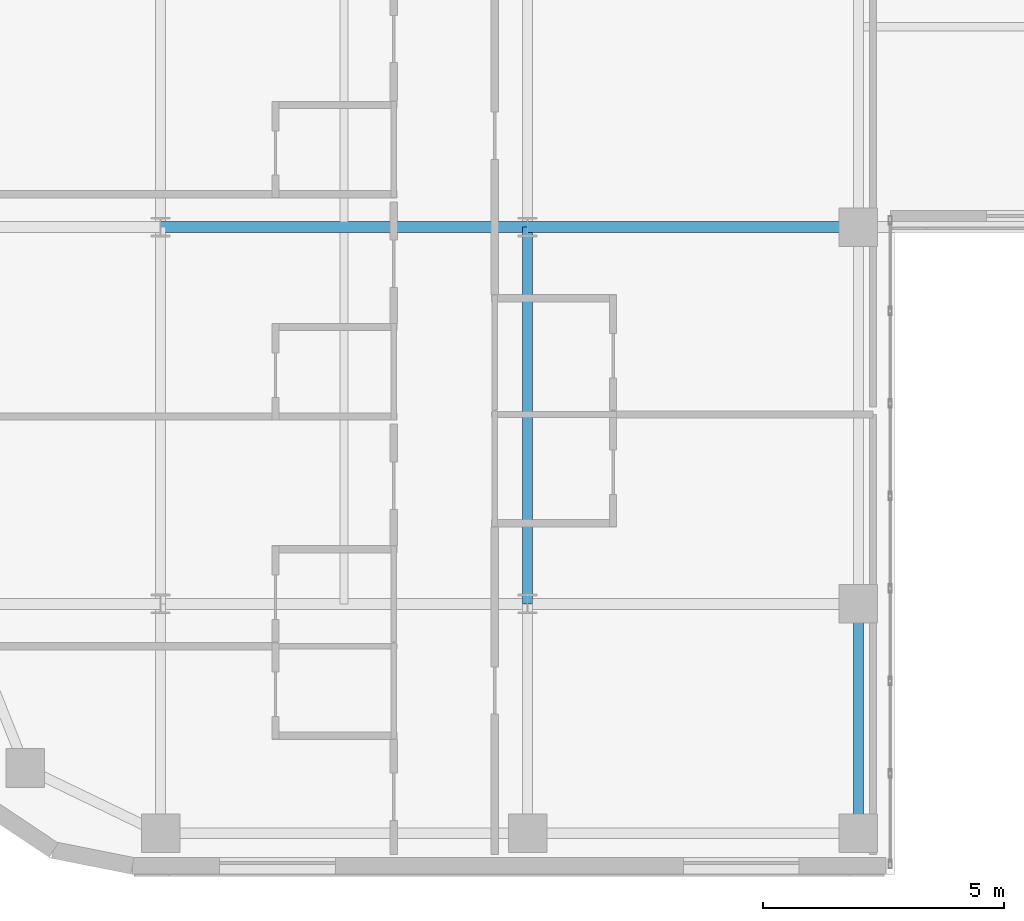
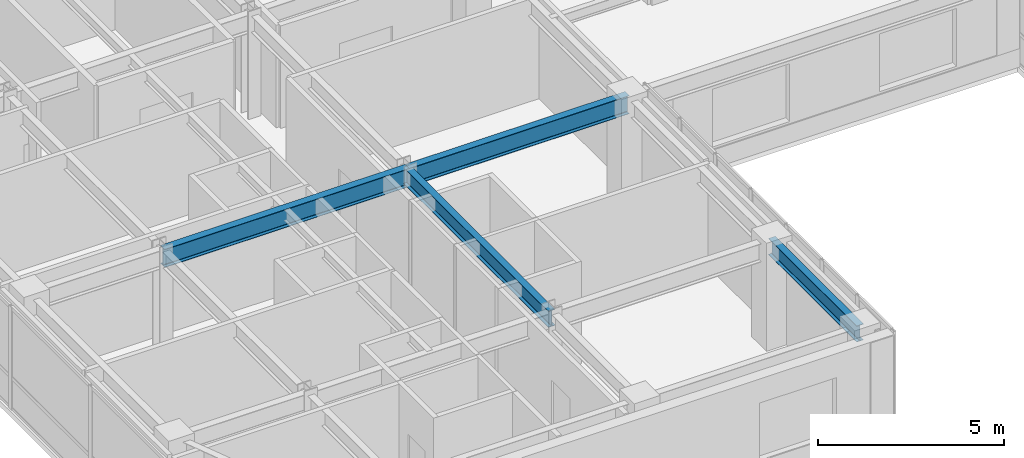
# One storey, part 6 of 28: 4 beams.
"""IFC4 building model written with IfcOpenShell, lengths in metres."""

from ifc_helpers import new_model, si_unit, direction, frame, origin, origin_2d, place, context, subcontext, project, spatial, i_section, extrude, source, transform, mapped, material, material_profile, profile_set, type_object, type_shapes, element, save


model = new_model("IFC4")

# Units and contexts
model_context = context("Model", 3, precision=1e-05, world=origin(), true_north=direction((0.0, 1.0)))
body_context = subcontext(model_context, "Body", "Model", "MODEL_VIEW")
ifc_project = project(units=[si_unit("LENGTHUNIT", "METRE"), si_unit("AREAUNIT", "SQUARE_METRE"), si_unit("VOLUMEUNIT", "CUBIC_METRE"), si_unit("PLANEANGLEUNIT", "RADIAN"), si_unit("MASSUNIT", "GRAM", prefix="KILO")], contexts=[model_context])

# Site, building, storey
site_placement = place(None, origin())
site = spatial("IfcSite", under=ifc_project, at=site_placement, CompositionType="ELEMENT")
building_placement = place(site_placement, origin())
building = spatial("IfcBuilding", under=site, at=building_placement, Name="Tolvann Quenvar Hotel", CompositionType="ELEMENT")
storey_placement = place(building_placement, frame((0.0, 0.0, 154.14990234375)))
storey = spatial("IfcBuildingStorey", under=building, at=storey_placement, Name="L40", CompositionType="ELEMENT", Elevation=154.14990234375)

# Beams
ifc_material = material(Name="Steel Grade 350", Category="steel")
ifc_material_profile_1 = material_profile(ifc_material, i_section(OverallWidth=0.208984375, OverallDepth=0.532958984375, WebThickness=0.01025390625, FlangeThickness=0.015625, FilletRadius=0.013916015625, at=origin_2d()), Name="530UB92")
ifc_profile_set_1 = profile_set([ifc_material_profile_1], Name="Steel Grade 350")
beam_type_1 = type_object("IfcBeamType", Name="BM_GIRD_530UB92", PredefinedType="BEAM", material=ifc_profile_set_1)
shared_shape_1 = source(origin(), body_context, "Body", "SweptSolid", [
    extrude(i_section(OverallWidth=0.208984375, OverallDepth=0.532958984375, WebThickness=0.01025390625, FlangeThickness=0.015625, FilletRadius=0.013916015625, at=origin_2d()), origin(), (0.0, 0.0, 1.0), 7.800048828125),
])
beam_1_placement = place(storey_placement, frame((15.199951171875, 8.199951171875, 3.103515625), z_axis=(0.0, 1.0, 0.0), x_axis=(-1.0, 0.0, 0.0)))
element("IfcBeam", 1, at=beam_1_placement, inside=storey, type_object=beam_type_1, Name="BM-L40-NS-D3-D4", PredefinedType="BEAM", context=body_context, shape_type="MappedRepresentation", body=[
    mapped(shared_shape_1, transform((0.0, 0.0, 0.0), x_axis=(1.0, 0.0, 0.0), y_axis=(0.0, 1.0, 0.0), z_axis=(0.0, 0.0, 1.0), scale=1.0)),
])
ifc_material_profile_2 = material_profile(ifc_material, i_section(OverallWidth=0.22802734375, OverallDepth=0.60205078125, WebThickness=0.010498046875, FlangeThickness=0.014892578125, FilletRadius=0.013916015625, at=origin_2d()), Name="610UB101")
ifc_profile_set_2 = profile_set([ifc_material_profile_2], Name="Steel Grade 350")
beam_type_2 = type_object("IfcBeamType", Name="BM_GIRD_610UB101", PredefinedType="BEAM", material=ifc_profile_set_2)
shared_shape_2 = source(origin(), body_context, "Body", "SweptSolid", [
    extrude(i_section(OverallWidth=0.22802734375, OverallDepth=0.60205078125, WebThickness=0.010498046875, FlangeThickness=0.014892578125, FilletRadius=0.013916015625, at=origin_2d()), origin(), (0.0, 0.0, 1.0), 7.599853515625),
])
beam_2_placement = place(storey_placement, frame((7.60009765625, 16.0, 3.069091796875), z_axis=(1.0, 0.0, 0.0), x_axis=(0.0, 1.0, 0.0)))
element("IfcBeam", 2, at=beam_2_placement, inside=storey, type_object=beam_type_2, Name="BM-L40-EW-4-C4-D4", PredefinedType="BEAM", context=body_context, shape_type="MappedRepresentation", body=[
    mapped(shared_shape_2, transform((0.0, 0.0, 0.0), x_axis=(1.0, 0.0, 0.0), y_axis=(0.0, 1.0, 0.0), z_axis=(0.0, 0.0, 1.0), scale=1.0)),
])
shared_shape_3 = source(origin(), body_context, "Body", "SweptSolid", [
    extrude(i_section(OverallWidth=0.22802734375, OverallDepth=0.60205078125, WebThickness=0.010498046875, FlangeThickness=0.014892578125, FilletRadius=0.013916015625, at=origin_2d()), origin(), (0.0, 0.0, 1.0), 6.85009765625),
])
type_shapes(beam_type_2, [shared_shape_2, shared_shape_3])
beam_3_placement = place(storey_placement, frame((15.199951171875, 16.0, 3.069091796875), z_axis=(1.0, 0.0, 0.0), x_axis=(0.0, 1.0, 0.0)))
element("IfcBeam", 3, at=beam_3_placement, inside=storey, type_object=beam_type_2, Name="BM-L40-EW-4-D4-E4", PredefinedType="BEAM", context=body_context, shape_type="MappedRepresentation", body=[
    mapped(shared_shape_3, transform((0.0, 0.0, 0.0), x_axis=(1.0, 0.0, 0.0), y_axis=(0.0, 1.0, 0.0), z_axis=(0.0, 0.0, 1.0), scale=1.0)),
])
shared_shape_4 = source(origin(), body_context, "Body", "SweptSolid", [
    extrude(i_section(OverallWidth=0.208984375, OverallDepth=0.532958984375, WebThickness=0.01025390625, FlangeThickness=0.015625, FilletRadius=0.013916015625, at=origin_2d()), origin(), (0.0, 0.0, 1.0), 4.75),
])
type_shapes(beam_type_1, [shared_shape_1, shared_shape_4])
beam_4_placement = place(storey_placement, frame((22.050048828125, 3.449951171875, 3.103515625), z_axis=(0.0, 1.0, 0.0), x_axis=(-1.0, 0.0, 0.0)))
element("IfcBeam", 4, at=beam_4_placement, inside=storey, type_object=beam_type_1, Name="BM-L40-NS-E2-E3", PredefinedType="BEAM", context=body_context, shape_type="MappedRepresentation", body=[
    mapped(shared_shape_4, transform((0.0, 0.0, 0.0), x_axis=(1.0, 0.0, 0.0), y_axis=(0.0, 1.0, 0.0), z_axis=(0.0, 0.0, 1.0), scale=1.0)),
])

save(model, "model.ifc")
